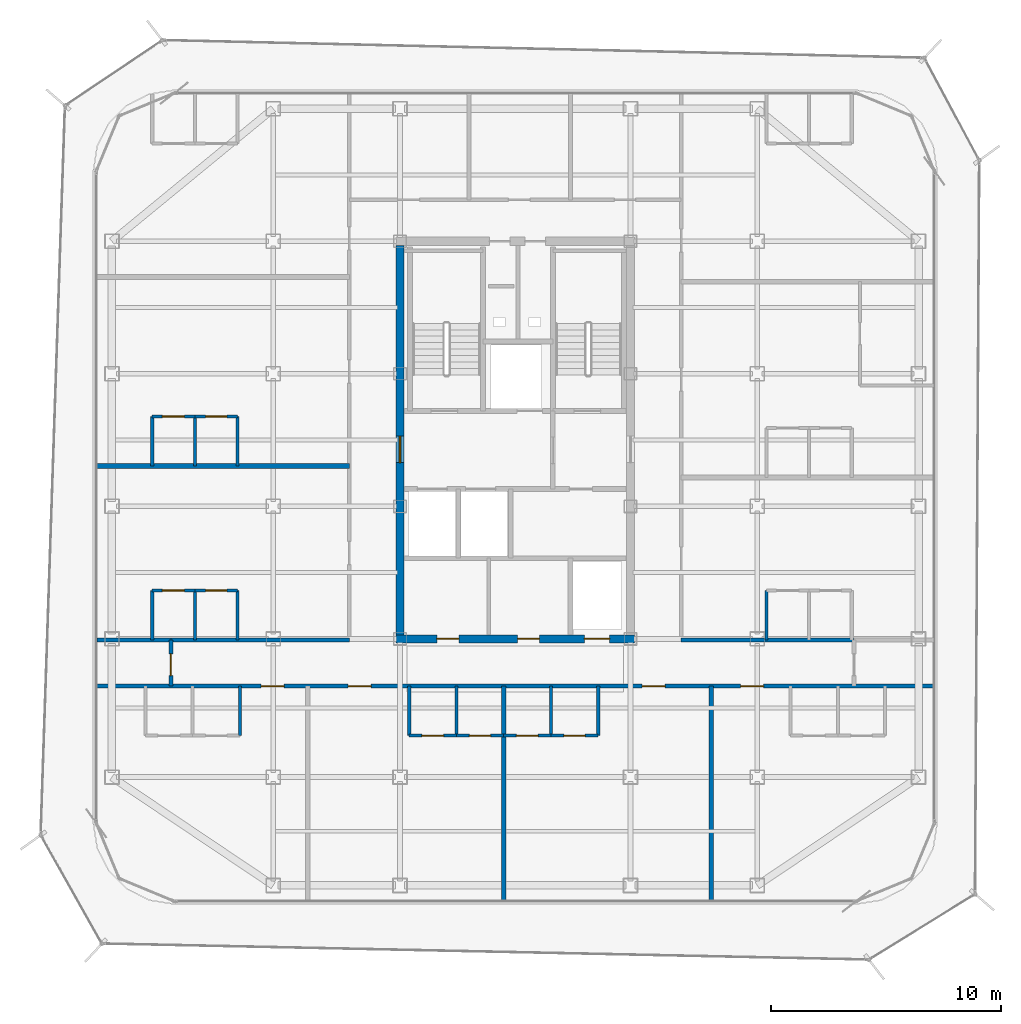
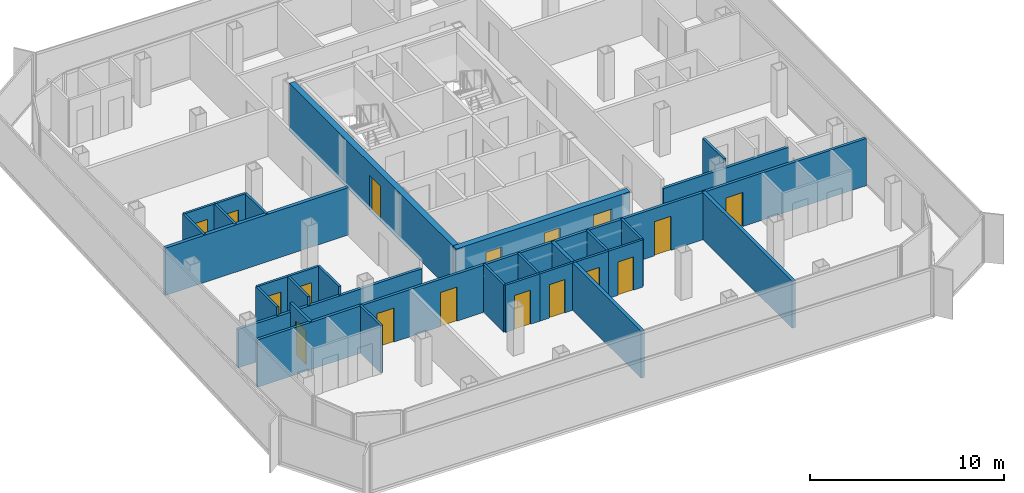
# One storey, part 10 of 16: 30 walls, 17 doors, 17 openings.
"""IFC4 building model written with IfcOpenShell, lengths in metres."""

import ifcopenshell
import ifcopenshell.guid

model = None  # the IFC model being written
_history = None  # IfcOwnerHistory: only IFC2X3 demands one
_inside = {}  # id of a spatial element -> (the spatial element, [elements in it])
_under = {}  # id of a project, library or spatial element -> (it, [spatial elements below it])
_declared = {}  # id of a project -> (the project, [libraries it declares])
_typed = {}  # id of a type object -> (the type object, [elements of that type])
_made_of = {}  # id of a material, layer set ... -> (it, [elements and type objects made of it])


def new_model(schema):
    """Start an empty IFC model of exactly this schema.

    Asked for "IFC4X3", IfcOpenShell would pick the latest addendum, in which some entities
    have other attributes; the version numbers below select the first issue.
    IFC2X3 requires an IfcOwnerHistory on every rooted entity: one is made here for all.
    """
    global model, _history
    if schema == "IFC4X3":
        model = ifcopenshell.file(schema_version=(4, 3, 0, 0))
    else:
        model = ifcopenshell.file(schema=schema)
    _inside.clear()
    _under.clear()
    _declared.clear()
    _typed.clear()
    _made_of.clear()
    _history = None
    if model.schema == "IFC2X3":
        org = make("IfcOrganization", Name="unknown")
        user = make(
            "IfcPersonAndOrganization",
            ThePerson=make("IfcPerson", FamilyName="unknown"),
            TheOrganization=org,
        )
        app = make(
            "IfcApplication",
            ApplicationDeveloper=org,
            Version="unknown",
            ApplicationFullName="unknown",
            ApplicationIdentifier="unknown",
        )
        _history = make(
            "IfcOwnerHistory",
            OwningUser=user,
            OwningApplication=app,
            ChangeAction="ADDED",
            CreationDate=0,
        )
    return model


def make(cls, **values):
    """One entity of the class cls with the attributes given. An attribute that is None is left unset."""
    return model.create_entity(
        cls, **{name: value for name, value in values.items() if value is not None}
    )


def rooted(cls, **values):
    """An entity with a GlobalId (a new one), such as an element, a storey or a relation."""
    return make(cls, GlobalId=ifcopenshell.guid.new(), OwnerHistory=_history, **values)


def si_unit(unit_type, name, prefix=None):
    """IfcSIUnit, for example si_unit("LENGTHUNIT", "METRE", prefix="MILLI")."""
    return make("IfcSIUnit", UnitType=unit_type, Prefix=prefix, Name=name)


def assignment(units):
    """IfcUnitAssignment: the units of a project."""
    return None if units is None else make("IfcUnitAssignment", Units=units)


def point(xyz):
    """IfcCartesianPoint."""
    return None if xyz is None else make("IfcCartesianPoint", Coordinates=xyz)


def direction(xyz):
    """IfcDirection."""
    return None if xyz is None else make("IfcDirection", DirectionRatios=xyz)


def frame(location, z_axis=None, x_axis=None):
    """IfcAxis2Placement3D, a coordinate frame: its origin and axes. An axis left out is left unset."""
    return make(
        "IfcAxis2Placement3D",
        Location=point(location),
        Axis=direction(z_axis),
        RefDirection=direction(x_axis),
    )


def frame_2d(location, x_axis=None):
    """IfcAxis2Placement2D, a coordinate frame in the plane: its origin and x axis."""
    return make(
        "IfcAxis2Placement2D", Location=point(location), RefDirection=direction(x_axis)
    )


def origin():
    """The frame at (0, 0, 0) with its axes left unset."""
    return frame((0.0, 0.0, 0.0))


def place(relative_to, where):
    """IfcLocalPlacement: puts the frame where relative to a parent placement (None: the world)."""
    return make(
        "IfcLocalPlacement", PlacementRelTo=relative_to, RelativePlacement=where
    )


def context(
    kind, dimensions, precision=None, world=None, true_north=None, identifier=None
):
    """IfcGeometricRepresentationContext, for example the 3D "Model" context."""
    return make(
        "IfcGeometricRepresentationContext",
        ContextIdentifier=identifier,
        ContextType=kind,
        CoordinateSpaceDimension=dimensions,
        Precision=precision,
        WorldCoordinateSystem=world,
        TrueNorth=true_north,
    )


def subcontext(parent, identifier, kind, view, scale=None):
    """IfcGeometricRepresentationSubContext, for example "Body" below "Model"."""
    return make(
        "IfcGeometricRepresentationSubContext",
        ContextIdentifier=identifier,
        ContextType=kind,
        ParentContext=parent,
        TargetScale=scale,
        TargetView=view,
    )


def project(units=None, contexts=None):
    """IfcProject with its units and contexts."""
    return rooted(
        "IfcProject",
        Name="project",
        RepresentationContexts=contexts,
        UnitsInContext=assignment(units),
    )


def spatial(cls, under=None, at=None, **own):
    """A site, building, storey or space (cls), placed at a placement, below another one or the project."""
    s = rooted(cls, ObjectPlacement=at, **own)
    if under is not None:
        _under.setdefault(under.id(), (under, []))[1].append(s)
    return s


def profile(cls, at=None, kind="AREA", **sizes):
    """A parametric profile (cls). Its sizes go by their IFC names, for example OverallWidth=200.0."""
    return make(cls, ProfileType=kind, Position=at, **sizes)


def rectangle(**sizes):
    """IfcRectangleProfileDef."""
    return profile("IfcRectangleProfileDef", **sizes)


def extrude(swept, where, along, depth):
    """IfcExtrudedAreaSolid: the profile swept, set in the frame where, extruded along a direction by depth."""
    return make(
        "IfcExtrudedAreaSolid",
        SweptArea=swept,
        Position=where,
        ExtrudedDirection=direction(along),
        Depth=depth,
    )


def shape(context_of_items, identifier, shape_type, items):
    """IfcShapeRepresentation: the items that make up one representation, for example the "Body"."""
    return make(
        "IfcShapeRepresentation",
        ContextOfItems=context_of_items,
        RepresentationIdentifier=identifier,
        RepresentationType=shape_type,
        Items=items,
    )


def material(Name=None, Category=None):
    """IfcMaterial."""
    return make("IfcMaterial", Name=Name, Category=Category)


def layer(
    of_material, thickness, ventilated=None, Name=None, Category=None, Priority=None
):
    """IfcMaterialLayer: one layer of a wall or slab, of a material (None: an air gap)."""
    return make(
        "IfcMaterialLayer",
        Material=of_material,
        LayerThickness=thickness,
        IsVentilated=ventilated,
        Name=Name,
        Category=Category,
        Priority=Priority,
    )


def layer_set(layers, Name=None):
    """IfcMaterialLayerSet."""
    return make("IfcMaterialLayerSet", MaterialLayers=layers, LayerSetName=Name)


def made_of(thing, what):
    """Note that an element or type object is made of a material, layer set ...; save() writes the relation."""
    if what is not None:
        _made_of.setdefault(what.id(), (what, []))[1].append(thing)
    return thing


def type_object(cls, material=None, **own):
    """A type object (cls), such as IfcWallType, which elements share."""
    return made_of(rooted(cls, **own), material)


def element(
    cls,
    number,
    at=None,
    inside=None,
    cuts=None,
    type_object=None,
    material=None,
    context=None,
    identifier="Body",
    shape_type=None,
    held_by="IfcProductDefinitionShape",
    body=None,
    shapes=None,
    **own,
):
    """One element of the class cls, such as IfcWall. Its Tag is "e" and its number.

    at: its placement. inside: the storey or other place that contains it. cuts: it is an
    opening in that element (IfcRelVoidsElement). A single representation is given by context,
    identifier, shape_type and body (its items); several are given by shapes. held_by: the class
    of the entity that holds the representations. save() writes the other relations.
    """
    e = rooted(cls, Tag="e%d" % number, ObjectPlacement=at, **own)
    if body is not None:
        shapes = [shape(context, identifier, shape_type, body)]
    if shapes is not None:
        e.Representation = make(held_by, Representations=shapes)
    if inside is not None:
        _inside.setdefault(inside.id(), (inside, []))[1].append(e)
    if cuts is not None:
        rooted(
            "IfcRelVoidsElement", RelatingBuildingElement=cuts, RelatedOpeningElement=e
        )
    if type_object is not None:
        _typed.setdefault(type_object.id(), (type_object, []))[1].append(e)
    return made_of(e, material)


def fill(opening, filler):
    """IfcRelFillsElement: the door or window that sits in an opening."""
    return rooted(
        "IfcRelFillsElement",
        RelatingOpeningElement=opening,
        RelatedBuildingElement=filler,
    )


def aggregate(whole, parts):
    """IfcRelAggregates: a whole, such as a stair, and the parts it consists of."""
    return rooted("IfcRelAggregates", RelatingObject=whole, RelatedObjects=parts)


def save(model, path):
    """Write the relations noted so far, then the file.

    IfcRelAggregates (storeys below a building ...), IfcRelContainedInSpatialStructure (elements
    in a storey), IfcRelDefinesByType, IfcRelAssociatesMaterial and IfcRelDeclares: one each for
    every whole, place, type object, material and project.
    """
    for whole, parts in _under.values():
        aggregate(whole, parts)
    for where, things in _inside.values():
        rooted(
            "IfcRelContainedInSpatialStructure",
            RelatedElements=things,
            RelatingStructure=where,
        )
    for kind, things in _typed.values():
        rooted("IfcRelDefinesByType", RelatedObjects=things, RelatingType=kind)
    for what, things in _made_of.values():
        rooted("IfcRelAssociatesMaterial", RelatedObjects=things, RelatingMaterial=what)
    for by, libraries in _declared.values():
        rooted("IfcRelDeclares", RelatingContext=by, RelatedDefinitions=libraries)
    model.write(path)


model = new_model("IFC4")

# Units and contexts
model_context = context("Model", 3, precision=1e-05, world=origin(), true_north=direction((0.0, 1.0)))
body_context = subcontext(model_context, "Body", "Model", "MODEL_VIEW")
ifc_project = project(units=[si_unit("LENGTHUNIT", "METRE"), si_unit("AREAUNIT", "SQUARE_METRE"), si_unit("VOLUMEUNIT", "CUBIC_METRE"), si_unit("PLANEANGLEUNIT", "RADIAN"), si_unit("MASSUNIT", "GRAM", prefix="KILO")], contexts=[model_context])

# Site, building, storey
site_placement = place(None, origin())
site = spatial("IfcSite", under=ifc_project, at=site_placement, CompositionType="ELEMENT")
building_placement = place(site_placement, origin())
building = spatial("IfcBuilding", under=site, at=building_placement, Name="Kolveth Station Tower", CompositionType="ELEMENT")
storey_placement = place(building_placement, frame((0.0, 0.0, 232.89990234375)))
storey = spatial("IfcBuildingStorey", under=building, at=storey_placement, Name="L66", CompositionType="ELEMENT", Elevation=232.89990234375)

# Wall, openings, doors
ifc_material_1 = material(Name="Concrete C50/60", Category="concrete")
ifc_layer_1 = layer(ifc_material_1, 0.35009765625)
ifc_layer_set_1 = layer_set([ifc_layer_1], Name="Concrete C50/60")
wall_type_1 = type_object("IfcWallType", Name="Wall_CW-350", PredefinedType="SHEAR", material=ifc_layer_set_1)
wall_1_placement = place(storey_placement, frame((18.324951171875, 11.5, 0.0), z_axis=(0.0, 0.0, 1.0), x_axis=(1.0, 0.0, 0.0)))
wall_1 = element("IfcWall", 1, at=wall_1_placement, inside=storey, type_object=wall_type_1, Name="L66 Core RC Shear Wall S", PredefinedType="SHEAR", context=body_context, shape_type="SweptSolid", body=[
    extrude(rectangle(XDim=10.35009765625, YDim=0.35009765625, at=frame_2d((5.175048828125, 0.0))), origin(), (0.0, 0.0, 1.0), 2.97998046875),
])
opening_1_placement = place(wall_1_placement, frame((1.77490234375, 0.0, 0.0)))
opening_1 = element("IfcOpeningElement", 2, at=opening_1_placement, cuts=wall_1, Name="Opening ID1", PredefinedType="OPENING", context=body_context, shape_type="SweptSolid", body=[
    extrude(rectangle(XDim=0.949951171875, YDim=2.14990234375, at=frame_2d((0.47509765625, 1.074951171875))), frame((0.0, 0.18505859375, 0.0), z_axis=(0.0, -1.0, 0.0), x_axis=(1.0, 0.0, 0.0)), (0.0, 0.0, 1.0), 0.3701171875),
])
opening_2_placement = place(wall_1_placement, frame((5.27490234375, 0.0, 0.0)))
opening_2 = element("IfcOpeningElement", 3, at=opening_2_placement, cuts=wall_1, Name="Opening ID1", PredefinedType="OPENING", context=body_context, shape_type="SweptSolid", body=[
    extrude(rectangle(XDim=0.949951171875, YDim=2.14990234375, at=frame_2d((0.47509765625, 1.074951171875))), frame((0.0, 0.18505859375, 0.0), z_axis=(0.0, -1.0, 0.0), x_axis=(1.0, 0.0, 0.0)), (0.0, 0.0, 1.0), 0.3701171875),
])
opening_3_placement = place(wall_1_placement, frame((8.175048828125, 0.0, 0.0)))
opening_3 = element("IfcOpeningElement", 4, at=opening_3_placement, cuts=wall_1, Name="Opening LD1", PredefinedType="OPENING", context=body_context, shape_type="SweptSolid", body=[
    extrude(rectangle(XDim=1.10009765625, YDim=2.25, at=frame_2d((0.550048828125, 1.125))), frame((0.0, 0.18505859375, 0.0), z_axis=(0.0, -1.0, 0.0), x_axis=(1.0, 0.0, 0.0)), (0.0, 0.0, 1.0), 0.3701171875),
])
ifc_material_2 = material(Name="Acoustic hardwood leaf and aluminium frame", Category="wood")
door_type_1 = type_object("IfcDoorType", Name="Door_ID1", OperationType="NOTDEFINED", PredefinedType="DOOR", material=ifc_material_2)
door_1_placement = place(opening_1_placement, frame((0.949951171875, 0.0, 0.0), z_axis=(0.0, 0.0, 1.0), x_axis=(-1.0, 0.0, 0.0)))
door_1 = element("IfcDoor", 5, at=door_1_placement, inside=storey, type_object=door_type_1, Name="L66 Laundry Room Door", OperationType="SINGLE_SWING_LEFT", OverallHeight=2.14990234375, OverallWidth=0.949951171875, PredefinedType="DOOR", context=body_context, shape_type="SweptSolid", body=[
    extrude(rectangle(XDim=0.949951171875, YDim=2.14990234375, at=frame_2d((0.47509765625, 1.074951171875))), frame((0.0, 0.02490234375, 0.0), z_axis=(0.0, -1.0, 0.0), x_axis=(1.0, 0.0, 0.0)), (0.0, 0.0, 1.0), 0.050048828125),
])
fill(opening_1, door_1)
door_2_placement = place(opening_2_placement, frame((0.949951171875, 0.0, 0.0), z_axis=(0.0, 0.0, 1.0), x_axis=(-1.0, 0.0, 0.0)))
door_2 = element("IfcDoor", 6, at=door_2_placement, inside=storey, type_object=door_type_1, Name="L66 Parcel Room Door", OperationType="SINGLE_SWING_LEFT", OverallHeight=2.14990234375, OverallWidth=0.949951171875, PredefinedType="DOOR", context=body_context, shape_type="SweptSolid", body=[
    extrude(rectangle(XDim=0.949951171875, YDim=2.14990234375, at=frame_2d((0.47509765625, 1.074951171875))), frame((0.0, 0.02490234375, 0.0), z_axis=(0.0, -1.0, 0.0), x_axis=(1.0, 0.0, 0.0)), (0.0, 0.0, 1.0), 0.050048828125),
])
fill(opening_2, door_2)
ifc_material_3 = material(Name="Brushed stainless steel sliding landing doors", Category="steel")
door_type_2 = type_object("IfcDoorType", Name="Door_LD1", OperationType="NOTDEFINED", PredefinedType="DOOR", material=ifc_material_3)
door_3_placement = place(opening_3_placement, frame((1.10009765625, 0.0, 0.0), z_axis=(0.0, 0.0, 1.0), x_axis=(-1.0, 0.0, 0.0)))
door_3 = element("IfcDoor", 7, at=door_3_placement, inside=storey, type_object=door_type_2, Name="L66 Lift PH1 Landing Door", OperationType="DOUBLE_DOOR_SLIDING", OverallHeight=2.25, OverallWidth=1.10009765625, PredefinedType="DOOR", context=body_context, shape_type="SweptSolid", body=[
    extrude(rectangle(XDim=1.10009765625, YDim=2.25, at=frame_2d((0.550048828125, 1.125))), frame((0.0, 0.02490234375, 0.0), z_axis=(0.0, -1.0, 0.0), x_axis=(1.0, 0.0, 0.0)), (0.0, 0.0, 1.0), 0.050048828125),
])
fill(opening_3, door_3)

# Wall, opening, door
wall_2_placement = place(storey_placement, frame((18.5, 11.675048828125, 0.0), z_axis=(0.0, 0.0, 1.0), x_axis=(0.0, 1.0, 0.0)))
wall_2 = element("IfcWall", 8, at=wall_2_placement, inside=storey, type_object=wall_type_1, Name="L66 Core RC Shear Wall W", PredefinedType="SHEAR", context=body_context, shape_type="SweptSolid", body=[
    extrude(rectangle(XDim=16.89990234375, YDim=0.35009765625, at=frame_2d((8.449951171875, 0.0))), origin(), (0.0, 0.0, 1.0), 2.97998046875),
])
opening_4_placement = place(wall_2_placement, frame((7.47509765625, 0.0, 0.0)))
opening_4 = element("IfcOpeningElement", 9, at=opening_4_placement, cuts=wall_2, Name="Opening FD1", PredefinedType="OPENING", context=body_context, shape_type="SweptSolid", body=[
    extrude(rectangle(XDim=1.14990234375, YDim=2.199951171875, at=frame_2d((0.574951171875, 1.10009765625))), frame((0.0, 0.18505859375, 0.0), z_axis=(0.0, -1.0, 0.0), x_axis=(1.0, 0.0, 0.0)), (0.0, 0.0, 1.0), 0.3701171875),
])
ifc_material_4 = material(Name="Fire-rated Steel S355 leaf and frame", Category="steel")
door_type_3 = type_object("IfcDoorType", Name="Door_FD1", OperationType="NOTDEFINED", PredefinedType="DOOR", material=ifc_material_4)
door_4_placement = place(opening_4_placement, frame((1.14990234375, 0.0, 0.0), z_axis=(0.0, 0.0, 1.0), x_axis=(-1.0, 0.0, 0.0)))
door_4 = element("IfcDoor", 10, at=door_4_placement, inside=storey, type_object=door_type_3, Name="L66 West Corridor to Firefighting Lobby Door", OperationType="SINGLE_SWING_RIGHT", OverallHeight=2.199951171875, OverallWidth=1.14990234375, PredefinedType="DOOR", context=body_context, shape_type="SweptSolid", body=[
    extrude(rectangle(XDim=1.14990234375, YDim=2.199951171875, at=frame_2d((0.574951171875, 1.10009765625))), frame((0.0, 0.02490234375, 0.0), z_axis=(0.0, -1.0, 0.0), x_axis=(1.0, 0.0, 0.0)), (0.0, 0.0, 1.0), 0.050048828125),
])
fill(opening_4, door_4)

# Wall
ifc_material_5 = material(Name="Moisture-resistant gypsum partition")
ifc_layer_2 = layer(ifc_material_5, 0.135009765625)
ifc_layer_set_2 = layer_set([ifc_layer_2], Name="Moisture-resistant gypsum partition")
wall_type_2 = type_object("IfcWallType", Name="Wall_IW-135", PredefinedType="PARTITIONING", material=ifc_layer_set_2)
wall_3_placement = place(storey_placement, frame((11.550048828125, 7.300048828125, 0.0), z_axis=(0.0, 0.0, 1.0), x_axis=(0.0, 1.0, 0.0)))
element("IfcWall", 11, at=wall_3_placement, inside=storey, type_object=wall_type_2, Name="L66 Partition Wall WL-L66-A1-IBV2", PredefinedType="PARTITIONING", context=body_context, shape_type="SweptSolid", body=[
    extrude(rectangle(XDim=2.14990234375, YDim=0.135009765625, at=frame_2d((1.074951171875, 0.0))), origin(), (0.0, 0.0, 1.0), 2.97998046875),
])

# Wall, opening, door
wall_4_placement = place(storey_placement, frame((18.89990234375, 7.300048828125, 0.0), z_axis=(0.0, 0.0, 1.0), x_axis=(1.0, 0.0, 0.0)))
wall_4 = element("IfcWall", 12, at=wall_4_placement, inside=storey, type_object=wall_type_2, Name="L66 Partition Wall WL-L66-A2-IBHK", PredefinedType="PARTITIONING", context=body_context, shape_type="SweptSolid", body=[
    extrude(rectangle(XDim=2.050048828125, YDim=0.135009765625, at=frame_2d((1.02490234375, 0.0))), origin(), (0.0, 0.0, 1.0), 2.97998046875),
])
opening_5_placement = place(wall_4_placement, frame((0.544921875, 0.0, 0.0)))
opening_5 = element("IfcOpeningElement", 13, at=opening_5_placement, cuts=wall_4, Name="Opening ID1", PredefinedType="OPENING", context=body_context, shape_type="SweptSolid", body=[
    extrude(rectangle(XDim=0.949951171875, YDim=2.14990234375, at=frame_2d((0.47509765625, 1.074951171875))), frame((0.0, 0.077392578125, 0.0), z_axis=(0.0, -1.0, 0.0), x_axis=(1.0, 0.0, 0.0)), (0.0, 0.0, 1.0), 0.155029296875),
])
door_5_placement = place(opening_5_placement, origin())
door_5 = element("IfcDoor", 14, at=door_5_placement, inside=storey, type_object=door_type_1, Name="Flat L66-A2 Kitchen Door", OperationType="SINGLE_SWING_LEFT", OverallHeight=2.14990234375, OverallWidth=0.949951171875, PredefinedType="DOOR", context=body_context, shape_type="SweptSolid", body=[
    extrude(rectangle(XDim=0.949951171875, YDim=2.14990234375, at=frame_2d((0.47509765625, 1.074951171875))), frame((0.0, 0.02490234375, 0.0), z_axis=(0.0, -1.0, 0.0), x_axis=(1.0, 0.0, 0.0)), (0.0, 0.0, 1.0), 0.050048828125),
])
fill(opening_5, door_5)

wall_5_placement = place(storey_placement, frame((20.949951171875, 7.300048828125, 0.0), z_axis=(0.0, 0.0, 1.0), x_axis=(1.0, 0.0, 0.0)))
wall_5 = element("IfcWall", 15, at=wall_5_placement, inside=storey, type_object=wall_type_2, Name="L66 Partition Wall WL-L66-A2-IBHB", PredefinedType="PARTITIONING", context=body_context, shape_type="SweptSolid", body=[
    extrude(rectangle(XDim=2.050048828125, YDim=0.135009765625, at=frame_2d((1.02490234375, 0.0))), origin(), (0.0, 0.0, 1.0), 2.97998046875),
])
opening_6_placement = place(wall_5_placement, frame((0.56494140625, 0.0, 0.0)))
opening_6 = element("IfcOpeningElement", 16, at=opening_6_placement, cuts=wall_5, Name="Opening ID2", PredefinedType="OPENING", context=body_context, shape_type="SweptSolid", body=[
    extrude(rectangle(XDim=0.919921875, YDim=2.10009765625, at=frame_2d((0.4599609375, 1.050048828125))), frame((0.0, 0.077392578125, 0.0), z_axis=(0.0, -1.0, 0.0), x_axis=(1.0, 0.0, 0.0)), (0.0, 0.0, 1.0), 0.155029296875),
])
ifc_material_6 = material(Name="Moisture-resistant hardwood leaf", Category="wood")
door_type_4 = type_object("IfcDoorType", Name="Door_ID2", OperationType="NOTDEFINED", PredefinedType="DOOR", material=ifc_material_6)
door_6_placement = place(opening_6_placement, origin())
door_6 = element("IfcDoor", 17, at=door_6_placement, inside=storey, type_object=door_type_4, Name="Flat L66-A2 Bathroom Door", OperationType="SINGLE_SWING_RIGHT", OverallHeight=2.10009765625, OverallWidth=0.919921875, PredefinedType="DOOR", context=body_context, shape_type="SweptSolid", body=[
    extrude(rectangle(XDim=0.919921875, YDim=2.10009765625, at=frame_2d((0.4599609375, 1.050048828125))), frame((0.0, 0.02490234375, 0.0), z_axis=(0.0, -1.0, 0.0), x_axis=(1.0, 0.0, 0.0)), (0.0, 0.0, 1.0), 0.050048828125),
])
fill(opening_6, door_6)

# Walls
for number, where, z_axis, x_axis, name in (
    (18, (18.89990234375, 7.300048828125, 0.0), (0.0, 0.0, 1.0), (0.0, 1.0, 0.0), "L66 Partition Wall WL-L66-A2-IBV0"),
    (19, (20.949951171875, 7.300048828125, 0.0), (0.0, 0.0, 1.0), (0.0, 1.0, 0.0), "L66 Partition Wall WL-L66-A2-IBV1"),
):
    element("IfcWall", number, at=place(storey_placement, frame(where, z_axis=z_axis, x_axis=x_axis)), inside=storey, type_object=wall_type_2, Name=name, PredefinedType="PARTITIONING", context=body_context, shape_type="SweptSolid", body=[
        extrude(rectangle(XDim=2.14990234375, YDim=0.135009765625, at=frame_2d((1.074951171875, 0.0))), origin(), (0.0, 0.0, 1.0), 2.97998046875),
    ])

# Wall, opening, door
wall_6_placement = place(storey_placement, frame((23.0, 7.300048828125, 0.0), z_axis=(0.0, 0.0, 1.0), x_axis=(1.0, 0.0, 0.0)))
wall_6 = element("IfcWall", 20, at=wall_6_placement, inside=storey, type_object=wall_type_2, Name="L66 Partition Wall WL-L66-A3-IBHK", PredefinedType="PARTITIONING", context=body_context, shape_type="SweptSolid", body=[
    extrude(rectangle(XDim=2.050048828125, YDim=0.135009765625, at=frame_2d((1.02490234375, 0.0))), origin(), (0.0, 0.0, 1.0), 2.97998046875),
])
opening_7_placement = place(wall_6_placement, frame((0.544921875, 0.0, 0.0)))
opening_7 = element("IfcOpeningElement", 21, at=opening_7_placement, cuts=wall_6, Name="Opening ID1", PredefinedType="OPENING", context=body_context, shape_type="SweptSolid", body=[
    extrude(rectangle(XDim=0.949951171875, YDim=2.14990234375, at=frame_2d((0.47509765625, 1.074951171875))), frame((0.0, 0.077392578125, 0.0), z_axis=(0.0, -1.0, 0.0), x_axis=(1.0, 0.0, 0.0)), (0.0, 0.0, 1.0), 0.155029296875),
])
door_7_placement = place(opening_7_placement, origin())
door_7 = element("IfcDoor", 22, at=door_7_placement, inside=storey, type_object=door_type_1, Name="Flat L66-A3 Kitchen Door", OperationType="SINGLE_SWING_RIGHT", OverallHeight=2.14990234375, OverallWidth=0.949951171875, PredefinedType="DOOR", context=body_context, shape_type="SweptSolid", body=[
    extrude(rectangle(XDim=0.949951171875, YDim=2.14990234375, at=frame_2d((0.47509765625, 1.074951171875))), frame((0.0, 0.02490234375, 0.0), z_axis=(0.0, -1.0, 0.0), x_axis=(1.0, 0.0, 0.0)), (0.0, 0.0, 1.0), 0.050048828125),
])
fill(opening_7, door_7)

wall_7_placement = place(storey_placement, frame((25.050048828125, 7.300048828125, 0.0), z_axis=(0.0, 0.0, 1.0), x_axis=(1.0, 0.0, 0.0)))
wall_7 = element("IfcWall", 23, at=wall_7_placement, inside=storey, type_object=wall_type_2, Name="L66 Partition Wall WL-L66-A3-IBHB", PredefinedType="PARTITIONING", context=body_context, shape_type="SweptSolid", body=[
    extrude(rectangle(XDim=2.050048828125, YDim=0.135009765625, at=frame_2d((1.02490234375, 0.0))), origin(), (0.0, 0.0, 1.0), 2.97998046875),
])
opening_8_placement = place(wall_7_placement, frame((0.56494140625, 0.0, 0.0)))
opening_8 = element("IfcOpeningElement", 24, at=opening_8_placement, cuts=wall_7, Name="Opening ID2", PredefinedType="OPENING", context=body_context, shape_type="SweptSolid", body=[
    extrude(rectangle(XDim=0.919921875, YDim=2.10009765625, at=frame_2d((0.4599609375, 1.050048828125))), frame((0.0, 0.077392578125, 0.0), z_axis=(0.0, -1.0, 0.0), x_axis=(1.0, 0.0, 0.0)), (0.0, 0.0, 1.0), 0.155029296875),
])
door_8_placement = place(opening_8_placement, origin())
door_8 = element("IfcDoor", 25, at=door_8_placement, inside=storey, type_object=door_type_4, Name="Flat L66-A3 Bathroom Door", OperationType="SINGLE_SWING_LEFT", OverallHeight=2.10009765625, OverallWidth=0.919921875, PredefinedType="DOOR", context=body_context, shape_type="SweptSolid", body=[
    extrude(rectangle(XDim=0.919921875, YDim=2.10009765625, at=frame_2d((0.4599609375, 1.050048828125))), frame((0.0, 0.02490234375, 0.0), z_axis=(0.0, -1.0, 0.0), x_axis=(1.0, 0.0, 0.0)), (0.0, 0.0, 1.0), 0.050048828125),
])
fill(opening_8, door_8)

# Walls
for number, where, z_axis, x_axis, name in (
    (26, (25.050048828125, 7.300048828125, 0.0), (0.0, 0.0, 1.0), (0.0, 1.0, 0.0), "L66 Partition Wall WL-L66-A3-IBV1"),
    (27, (27.10009765625, 7.300048828125, 0.0), (0.0, 0.0, 1.0), (0.0, 1.0, 0.0), "L66 Partition Wall WL-L66-A3-IBV2"),
):
    element("IfcWall", number, at=place(storey_placement, frame(where, z_axis=z_axis, x_axis=x_axis)), inside=storey, type_object=wall_type_2, Name=name, PredefinedType="PARTITIONING", context=body_context, shape_type="SweptSolid", body=[
        extrude(rectangle(XDim=2.14990234375, YDim=0.135009765625, at=frame_2d((1.074951171875, 0.0))), origin(), (0.0, 0.0, 1.0), 2.97998046875),
    ])

# Wall, opening, door
wall_8_placement = place(storey_placement, frame((7.75, 13.60009765625, 0.0), z_axis=(0.0, 0.0, 1.0), x_axis=(1.0, 0.0, 0.0)))
wall_8 = element("IfcWall", 28, at=wall_8_placement, inside=storey, type_object=wall_type_2, Name="L66 Partition Wall WL-L66-W1-IBHK", PredefinedType="PARTITIONING", context=body_context, shape_type="SweptSolid", body=[
    extrude(rectangle(XDim=1.85009765625, YDim=0.135009765625, at=frame_2d((0.925048828125, 0.0))), origin(), (0.0, 0.0, 1.0), 2.97998046875),
])
opening_9_placement = place(wall_8_placement, frame((0.445068359375, 0.0, 0.0)))
opening_9 = element("IfcOpeningElement", 29, at=opening_9_placement, cuts=wall_8, Name="Opening ID1", PredefinedType="OPENING", context=body_context, shape_type="SweptSolid", body=[
    extrude(rectangle(XDim=0.949951171875, YDim=2.14990234375, at=frame_2d((0.47509765625, 1.074951171875))), frame((0.0, 0.077392578125, 0.0), z_axis=(0.0, -1.0, 0.0), x_axis=(1.0, 0.0, 0.0)), (0.0, 0.0, 1.0), 0.155029296875),
])
door_9_placement = place(opening_9_placement, origin())
door_9 = element("IfcDoor", 30, at=door_9_placement, inside=storey, type_object=door_type_1, Name="Flat L66-W1 Kitchen Door", OperationType="SINGLE_SWING_RIGHT", OverallHeight=2.14990234375, OverallWidth=0.949951171875, PredefinedType="DOOR", context=body_context, shape_type="SweptSolid", body=[
    extrude(rectangle(XDim=0.949951171875, YDim=2.14990234375, at=frame_2d((0.47509765625, 1.074951171875))), frame((0.0, 0.02490234375, 0.0), z_axis=(0.0, -1.0, 0.0), x_axis=(1.0, 0.0, 0.0)), (0.0, 0.0, 1.0), 0.050048828125),
])
fill(opening_9, door_9)

wall_9_placement = place(storey_placement, frame((9.60009765625, 13.60009765625, 0.0), z_axis=(0.0, 0.0, 1.0), x_axis=(1.0, 0.0, 0.0)))
wall_9 = element("IfcWall", 31, at=wall_9_placement, inside=storey, type_object=wall_type_2, Name="L66 Partition Wall WL-L66-W1-IBHB", PredefinedType="PARTITIONING", context=body_context, shape_type="SweptSolid", body=[
    extrude(rectangle(XDim=1.849853515625, YDim=0.135009765625, at=frame_2d((0.9248046875, 0.0))), origin(), (0.0, 0.0, 1.0), 2.97998046875),
])
opening_10_placement = place(wall_9_placement, frame((0.465087890625, 0.0, 0.0)))
opening_10 = element("IfcOpeningElement", 32, at=opening_10_placement, cuts=wall_9, Name="Opening ID2", PredefinedType="OPENING", context=body_context, shape_type="SweptSolid", body=[
    extrude(rectangle(XDim=0.919921875, YDim=2.10009765625, at=frame_2d((0.4599609375, 1.050048828125))), frame((0.0, 0.077392578125, 0.0), z_axis=(0.0, -1.0, 0.0), x_axis=(1.0, 0.0, 0.0)), (0.0, 0.0, 1.0), 0.155029296875),
])
door_10_placement = place(opening_10_placement, origin())
door_10 = element("IfcDoor", 33, at=door_10_placement, inside=storey, type_object=door_type_4, Name="Flat L66-W1 Bathroom Door", OperationType="SINGLE_SWING_LEFT", OverallHeight=2.10009765625, OverallWidth=0.919921875, PredefinedType="DOOR", context=body_context, shape_type="SweptSolid", body=[
    extrude(rectangle(XDim=0.919921875, YDim=2.10009765625, at=frame_2d((0.4599609375, 1.050048828125))), frame((0.0, 0.02490234375, 0.0), z_axis=(0.0, -1.0, 0.0), x_axis=(1.0, 0.0, 0.0)), (0.0, 0.0, 1.0), 0.050048828125),
])
fill(opening_10, door_10)

# Walls
for number, where, z_axis, x_axis, name in (
    (34, (7.75, 11.449951171875, 0.0), (0.0, 0.0, 1.0), (0.0, 1.0, 0.0), "L66 Partition Wall WL-L66-W1-IBV0"),
    (35, (9.60009765625, 11.449951171875, 0.0), (0.0, 0.0, 1.0), (0.0, 1.0, 0.0), "L66 Partition Wall WL-L66-W1-IBV1"),
    (36, (11.449951171875, 11.449951171875, 0.0), (0.0, 0.0, 1.0), (0.0, 1.0, 0.0), "L66 Partition Wall WL-L66-W1-IBV2"),
):
    element("IfcWall", number, at=place(storey_placement, frame(where, z_axis=z_axis, x_axis=x_axis)), inside=storey, type_object=wall_type_2, Name=name, PredefinedType="PARTITIONING", context=body_context, shape_type="SweptSolid", body=[
        extrude(rectangle(XDim=2.150146484375, YDim=0.135009765625, at=frame_2d((1.0751953125, 0.0))), origin(), (0.0, 0.0, 1.0), 2.97998046875),
    ])

# Wall, opening, door
wall_10_placement = place(storey_placement, frame((7.75, 21.14990234375, 0.0), z_axis=(0.0, 0.0, 1.0), x_axis=(1.0, 0.0, 0.0)))
wall_10 = element("IfcWall", 37, at=wall_10_placement, inside=storey, type_object=wall_type_2, Name="L66 Partition Wall WL-L66-W2-IBHK", PredefinedType="PARTITIONING", context=body_context, shape_type="SweptSolid", body=[
    extrude(rectangle(XDim=1.85009765625, YDim=0.135009765625, at=frame_2d((0.925048828125, 0.0))), origin(), (0.0, 0.0, 1.0), 2.97998046875),
])
opening_11_placement = place(wall_10_placement, frame((0.445068359375, 0.0, 0.0)))
opening_11 = element("IfcOpeningElement", 38, at=opening_11_placement, cuts=wall_10, Name="Opening ID1", PredefinedType="OPENING", context=body_context, shape_type="SweptSolid", body=[
    extrude(rectangle(XDim=0.949951171875, YDim=2.14990234375, at=frame_2d((0.47509765625, 1.074951171875))), frame((0.0, 0.077392578125, 0.0), z_axis=(0.0, -1.0, 0.0), x_axis=(1.0, 0.0, 0.0)), (0.0, 0.0, 1.0), 0.155029296875),
])
door_11_placement = place(opening_11_placement, origin())
door_11 = element("IfcDoor", 39, at=door_11_placement, inside=storey, type_object=door_type_1, Name="Flat L66-W2 Kitchen Door", OperationType="SINGLE_SWING_LEFT", OverallHeight=2.14990234375, OverallWidth=0.949951171875, PredefinedType="DOOR", context=body_context, shape_type="SweptSolid", body=[
    extrude(rectangle(XDim=0.949951171875, YDim=2.14990234375, at=frame_2d((0.47509765625, 1.074951171875))), frame((0.0, 0.02490234375, 0.0), z_axis=(0.0, -1.0, 0.0), x_axis=(1.0, 0.0, 0.0)), (0.0, 0.0, 1.0), 0.050048828125),
])
fill(opening_11, door_11)

wall_11_placement = place(storey_placement, frame((9.60009765625, 21.14990234375, 0.0), z_axis=(0.0, 0.0, 1.0), x_axis=(1.0, 0.0, 0.0)))
wall_11 = element("IfcWall", 40, at=wall_11_placement, inside=storey, type_object=wall_type_2, Name="L66 Partition Wall WL-L66-W2-IBHB", PredefinedType="PARTITIONING", context=body_context, shape_type="SweptSolid", body=[
    extrude(rectangle(XDim=1.849853515625, YDim=0.135009765625, at=frame_2d((0.9248046875, 0.0))), origin(), (0.0, 0.0, 1.0), 2.97998046875),
])
opening_12_placement = place(wall_11_placement, frame((0.465087890625, 0.0, 0.0)))
opening_12 = element("IfcOpeningElement", 41, at=opening_12_placement, cuts=wall_11, Name="Opening ID2", PredefinedType="OPENING", context=body_context, shape_type="SweptSolid", body=[
    extrude(rectangle(XDim=0.919921875, YDim=2.10009765625, at=frame_2d((0.4599609375, 1.050048828125))), frame((0.0, 0.077392578125, 0.0), z_axis=(0.0, -1.0, 0.0), x_axis=(1.0, 0.0, 0.0)), (0.0, 0.0, 1.0), 0.155029296875),
])
door_12_placement = place(opening_12_placement, origin())
door_12 = element("IfcDoor", 42, at=door_12_placement, inside=storey, type_object=door_type_4, Name="Flat L66-W2 Bathroom Door", OperationType="SINGLE_SWING_LEFT", OverallHeight=2.10009765625, OverallWidth=0.919921875, PredefinedType="DOOR", context=body_context, shape_type="SweptSolid", body=[
    extrude(rectangle(XDim=0.919921875, YDim=2.10009765625, at=frame_2d((0.4599609375, 1.050048828125))), frame((0.0, 0.02490234375, 0.0), z_axis=(0.0, -1.0, 0.0), x_axis=(1.0, 0.0, 0.0)), (0.0, 0.0, 1.0), 0.050048828125),
])
fill(opening_12, door_12)

# Walls
for number, where, z_axis, x_axis, name in (
    (43, (7.75, 19.0, 0.0), (0.0, 0.0, 1.0), (0.0, 1.0, 0.0), "L66 Partition Wall WL-L66-W2-IBV0"),
    (44, (9.60009765625, 19.0, 0.0), (0.0, 0.0, 1.0), (0.0, 1.0, 0.0), "L66 Partition Wall WL-L66-W2-IBV1"),
    (45, (11.449951171875, 19.0, 0.0), (0.0, 0.0, 1.0), (0.0, 1.0, 0.0), "L66 Partition Wall WL-L66-W2-IBV2"),
):
    element("IfcWall", number, at=place(storey_placement, frame(where, z_axis=z_axis, x_axis=x_axis)), inside=storey, type_object=wall_type_2, Name=name, PredefinedType="PARTITIONING", context=body_context, shape_type="SweptSolid", body=[
        extrude(rectangle(XDim=2.14990234375, YDim=0.135009765625, at=frame_2d((1.074951171875, 0.0))), origin(), (0.0, 0.0, 1.0), 2.97998046875),
    ])
wall_12_placement = place(storey_placement, frame((34.39990234375, 11.449951171875, 0.0), z_axis=(0.0, 0.0, 1.0), x_axis=(0.0, 1.0, 0.0)))
element("IfcWall", 46, at=wall_12_placement, inside=storey, type_object=wall_type_2, Name="L66 Partition Wall WL-L66-E1-IBV0", PredefinedType="PARTITIONING", context=body_context, shape_type="SweptSolid", body=[
    extrude(rectangle(XDim=2.150146484375, YDim=0.135009765625, at=frame_2d((1.0751953125, 0.0))), origin(), (0.0, 0.0, 1.0), 2.97998046875),
])

# Wall, openings, doors
ifc_material_7 = material(Name="Acoustic double-stud gypsum partition")
ifc_layer_3 = layer(ifc_material_7, 0.1650390625)
ifc_layer_set_3 = layer_set([ifc_layer_3], Name="Acoustic double-stud gypsum partition")
wall_type_3 = type_object("IfcWallType", Name="Wall_IW-165", PredefinedType="PARTITIONING", material=ifc_layer_set_3)
wall_13_placement = place(storey_placement, frame((5.360107421875, 9.449951171875, 0.0), z_axis=(0.0, 0.0, 1.0), x_axis=(1.0, 0.0, 0.0)))
wall_13 = element("IfcWall", 47, at=wall_13_placement, inside=storey, type_object=wall_type_3, Name="L66 Partition Wall WL-L66-RS", PredefinedType="PARTITIONING", context=body_context, shape_type="SweptSolid", body=[
    extrude(rectangle(XDim=36.27978515625, YDim=0.1650390625, at=frame_2d((18.139892578125, 0.0))), origin(), (0.0, 0.0, 1.0), 2.97998046875),
])
opening_13_placement = place(wall_13_placement, frame((7.114990234375, 0.0, 0.0)))
opening_13 = element("IfcOpeningElement", 48, at=opening_13_placement, cuts=wall_13, Name="Opening FD3", PredefinedType="OPENING", context=body_context, shape_type="SweptSolid", body=[
    extrude(rectangle(XDim=1.0, YDim=2.14990234375, at=frame_2d((0.5, 1.074951171875))), frame((0.0, 0.092529296875, 0.0), z_axis=(0.0, -1.0, 0.0), x_axis=(1.0, 0.0, 0.0)), (0.0, 0.0, 1.0), 0.18505859375),
])
opening_14_placement = place(wall_13_placement, frame((10.889892578125, 0.0, 0.0)))
opening_14 = element("IfcOpeningElement", 49, at=opening_14_placement, cuts=wall_13, Name="Opening FD3", PredefinedType="OPENING", context=body_context, shape_type="SweptSolid", body=[
    extrude(rectangle(XDim=1.0, YDim=2.14990234375, at=frame_2d((0.5, 1.074951171875))), frame((0.0, 0.092529296875, 0.0), z_axis=(0.0, -1.0, 0.0), x_axis=(1.0, 0.0, 0.0)), (0.0, 0.0, 1.0), 0.18505859375),
])
opening_15_placement = place(wall_13_placement, frame((23.639892578125, 0.0, 0.0)))
opening_15 = element("IfcOpeningElement", 50, at=opening_15_placement, cuts=wall_13, Name="Opening FD3", PredefinedType="OPENING", context=body_context, shape_type="SweptSolid", body=[
    extrude(rectangle(XDim=1.0, YDim=2.14990234375, at=frame_2d((0.5, 1.074951171875))), frame((0.0, 0.092529296875, 0.0), z_axis=(0.0, -1.0, 0.0), x_axis=(1.0, 0.0, 0.0)), (0.0, 0.0, 1.0), 0.18505859375),
])
opening_16_placement = place(wall_13_placement, frame((27.9150390625, 0.0, 0.0)))
opening_16 = element("IfcOpeningElement", 51, at=opening_16_placement, cuts=wall_13, Name="Opening FD3", PredefinedType="OPENING", context=body_context, shape_type="SweptSolid", body=[
    extrude(rectangle(XDim=1.0, YDim=2.14990234375, at=frame_2d((0.5, 1.074951171875))), frame((0.0, 0.092529296875, 0.0), z_axis=(0.0, -1.0, 0.0), x_axis=(1.0, 0.0, 0.0)), (0.0, 0.0, 1.0), 0.18505859375),
])
ifc_material_8 = material(Name="Fire-rated hardwood leaf and aluminium frame", Category="wood")
door_type_5 = type_object("IfcDoorType", Name="Door_FD3", OperationType="NOTDEFINED", PredefinedType="DOOR", material=ifc_material_8)
door_13_placement = place(opening_13_placement, frame((1.0, 0.0, 0.0), z_axis=(0.0, 0.0, 1.0), x_axis=(-1.0, 0.0, 0.0)))
door_13 = element("IfcDoor", 52, at=door_13_placement, inside=storey, type_object=door_type_5, Name="Flat L66-A1 Entrance Door", OperationType="SINGLE_SWING_RIGHT", OverallHeight=2.14990234375, OverallWidth=1.0, PredefinedType="DOOR", context=body_context, shape_type="SweptSolid", body=[
    extrude(rectangle(XDim=1.0, YDim=2.14990234375, at=frame_2d((0.5, 1.074951171875))), frame((0.0, 0.02490234375, 0.0), z_axis=(0.0, -1.0, 0.0), x_axis=(1.0, 0.0, 0.0)), (0.0, 0.0, 1.0), 0.050048828125),
])
fill(opening_13, door_13)
door_14_placement = place(opening_14_placement, frame((1.0, 0.0, 0.0), z_axis=(0.0, 0.0, 1.0), x_axis=(-1.0, 0.0, 0.0)))
door_14 = element("IfcDoor", 53, at=door_14_placement, inside=storey, type_object=door_type_5, Name="Flat L66-A2 Entrance Door", OperationType="SINGLE_SWING_LEFT", OverallHeight=2.14990234375, OverallWidth=1.0, PredefinedType="DOOR", context=body_context, shape_type="SweptSolid", body=[
    extrude(rectangle(XDim=1.0, YDim=2.14990234375, at=frame_2d((0.5, 1.074951171875))), frame((0.0, 0.02490234375, 0.0), z_axis=(0.0, -1.0, 0.0), x_axis=(1.0, 0.0, 0.0)), (0.0, 0.0, 1.0), 0.050048828125),
])
fill(opening_14, door_14)
door_15_placement = place(opening_15_placement, frame((1.0, 0.0, 0.0), z_axis=(0.0, 0.0, 1.0), x_axis=(-1.0, 0.0, 0.0)))
door_15 = element("IfcDoor", 54, at=door_15_placement, inside=storey, type_object=door_type_5, Name="Flat L66-A3 Entrance Door", OperationType="SINGLE_SWING_LEFT", OverallHeight=2.14990234375, OverallWidth=1.0, PredefinedType="DOOR", context=body_context, shape_type="SweptSolid", body=[
    extrude(rectangle(XDim=1.0, YDim=2.14990234375, at=frame_2d((0.5, 1.074951171875))), frame((0.0, 0.02490234375, 0.0), z_axis=(0.0, -1.0, 0.0), x_axis=(1.0, 0.0, 0.0)), (0.0, 0.0, 1.0), 0.050048828125),
])
fill(opening_15, door_15)
door_16_placement = place(opening_16_placement, frame((1.0, 0.0, 0.0), z_axis=(0.0, 0.0, 1.0), x_axis=(-1.0, 0.0, 0.0)))
door_16 = element("IfcDoor", 55, at=door_16_placement, inside=storey, type_object=door_type_5, Name="Flat L66-A4 Entrance Door", OperationType="SINGLE_SWING_LEFT", OverallHeight=2.14990234375, OverallWidth=1.0, PredefinedType="DOOR", context=body_context, shape_type="SweptSolid", body=[
    extrude(rectangle(XDim=1.0, YDim=2.14990234375, at=frame_2d((0.5, 1.074951171875))), frame((0.0, 0.02490234375, 0.0), z_axis=(0.0, -1.0, 0.0), x_axis=(1.0, 0.0, 0.0)), (0.0, 0.0, 1.0), 0.050048828125),
])
fill(opening_16, door_16)

# Walls
wall_14_placement = place(storey_placement, frame((8.56005859375, 11.449951171875, 0.0), z_axis=(0.0, 0.0, 1.0), x_axis=(1.0, 0.0, 0.0)))
element("IfcWall", 56, at=wall_14_placement, inside=storey, type_object=wall_type_3, Name="L66 Partition Wall WL-L66-RSWT", PredefinedType="PARTITIONING", context=body_context, shape_type="SweptSolid", body=[
    extrude(rectangle(XDim=7.739990234375, YDim=0.1650390625, at=frame_2d((3.8701171875, 0.0))), origin(), (0.0, 0.0, 1.0), 2.427978515625),
])
wall_15_placement = place(storey_placement, frame((30.699951171875, 11.449951171875, 0.0), z_axis=(0.0, 0.0, 1.0), x_axis=(1.0, 0.0, 0.0)))
element("IfcWall", 57, at=wall_15_placement, inside=storey, type_object=wall_type_3, Name="L66 Partition Wall WL-L66-RSET", PredefinedType="PARTITIONING", context=body_context, shape_type="SweptSolid", body=[
    extrude(rectangle(XDim=7.5, YDim=0.1650390625, at=frame_2d((3.75, 0.0))), origin(), (0.0, 0.0, 1.0), 2.427978515625),
])

# Wall, opening, door
wall_16_placement = place(storey_placement, frame((8.56005859375, 9.449951171875, 0.0), z_axis=(0.0, 0.0, 1.0), x_axis=(0.0, 1.0, 0.0)))
wall_16 = element("IfcWall", 58, at=wall_16_placement, inside=storey, type_object=wall_type_3, Name="L66 Partition Wall WL-L66-RSWE", PredefinedType="PARTITIONING", context=body_context, shape_type="SweptSolid", body=[
    extrude(rectangle(XDim=2.0, YDim=0.1650390625, at=frame_2d((1.0, 0.0))), origin(), (0.0, 0.0, 1.0), 2.97998046875),
])
opening_17_placement = place(wall_16_placement, frame((0.449951171875, 0.0, 0.0)))
opening_17 = element("IfcOpeningElement", 59, at=opening_17_placement, cuts=wall_16, Name="Opening ID1", PredefinedType="OPENING", context=body_context, shape_type="SweptSolid", body=[
    extrude(rectangle(XDim=0.949951171875, YDim=2.14990234375, at=frame_2d((0.47509765625, 1.074951171875))), frame((0.0, 0.092529296875, 0.0), z_axis=(0.0, -1.0, 0.0), x_axis=(1.0, 0.0, 0.0)), (0.0, 0.0, 1.0), 0.18505859375),
])
door_17_placement = place(opening_17_placement, frame((0.949951171875, 0.0, 0.0), z_axis=(0.0, 0.0, 1.0), x_axis=(-1.0, 0.0, 0.0)))
door_17 = element("IfcDoor", 60, at=door_17_placement, inside=storey, type_object=door_type_1, Name="L66 West Store Door", OperationType="SINGLE_SWING_RIGHT", OverallHeight=2.14990234375, OverallWidth=0.949951171875, PredefinedType="DOOR", context=body_context, shape_type="SweptSolid", body=[
    extrude(rectangle(XDim=0.949951171875, YDim=2.14990234375, at=frame_2d((0.47509765625, 1.074951171875))), frame((0.0, 0.02490234375, 0.0), z_axis=(0.0, -1.0, 0.0), x_axis=(1.0, 0.0, 0.0)), (0.0, 0.0, 1.0), 0.050048828125),
])
fill(opening_17, door_17)

# Walls
wall_17_placement = place(storey_placement, frame((5.360107421875, 11.449951171875, 0.0), z_axis=(0.0, 0.0, 1.0), x_axis=(1.0, 0.0, 0.0)))
element("IfcWall", 61, at=wall_17_placement, inside=storey, type_object=wall_type_3, Name="L66 Partition Wall WL-L66-WSTN", PredefinedType="PARTITIONING", context=body_context, shape_type="SweptSolid", body=[
    extrude(rectangle(XDim=3.199951171875, YDim=0.1650390625, at=frame_2d((1.60009765625, 0.0))), origin(), (0.0, 0.0, 1.0), 2.427978515625),
])
ifc_material_9 = material(Name="Acoustic fire-rated gypsum blockwork", Category="masonry")
ifc_layer_4 = layer(ifc_material_9, 0.199951171875)
ifc_layer_set_4 = layer_set([ifc_layer_4], Name="Acoustic fire-rated gypsum blockwork")
wall_type_4 = type_object("IfcWallType", Name="Wall_IW-200", PredefinedType="PARTITIONING", material=ifc_layer_set_4)
for number, where, z_axis, x_axis, name in (
    (62, (23.0, 0.159912109375, 0.0), (0.0, 0.0, 1.0), (0.0, 1.0, 0.0), "L66 Partition Wall WL-L66-RSU-2"),
    (63, (32.0, 0.159912109375, 0.0), (0.0, 0.0, 1.0), (0.0, 1.0, 0.0), "L66 Partition Wall WL-L66-RSU-3"),
):
    element("IfcWall", number, at=place(storey_placement, frame(where, z_axis=z_axis, x_axis=x_axis)), inside=storey, type_object=wall_type_4, Name=name, PredefinedType="PARTITIONING", context=body_context, shape_type="SweptSolid", body=[
        extrude(rectangle(XDim=9.2900390625, YDim=0.199951171875, at=frame_2d((4.64501953125, 0.0))), origin(), (0.0, 0.0, 1.0), 2.97998046875),
    ])
wall_18_placement = place(storey_placement, frame((5.360107421875, 19.0, 0.0), z_axis=(0.0, 0.0, 1.0), x_axis=(1.0, 0.0, 0.0)))
element("IfcWall", 64, at=wall_18_placement, inside=storey, type_object=wall_type_4, Name="L66 Partition Wall WL-L66-RWU-1", PredefinedType="PARTITIONING", context=body_context, shape_type="SweptSolid", body=[
    extrude(rectangle(XDim=10.93994140625, YDim=0.199951171875, at=frame_2d((5.469970703125, 0.0))), origin(), (0.0, 0.0, 1.0), 2.97998046875),
])

save(model, "model.ifc")
